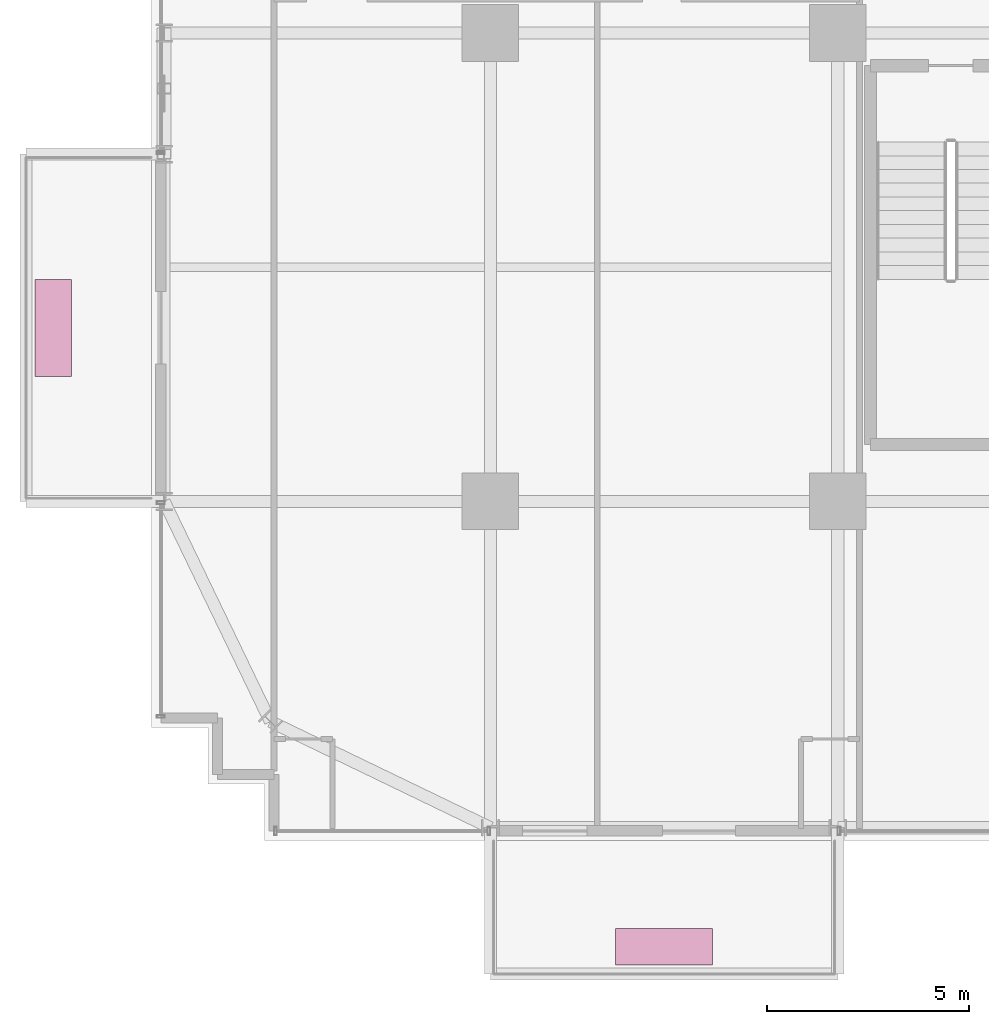
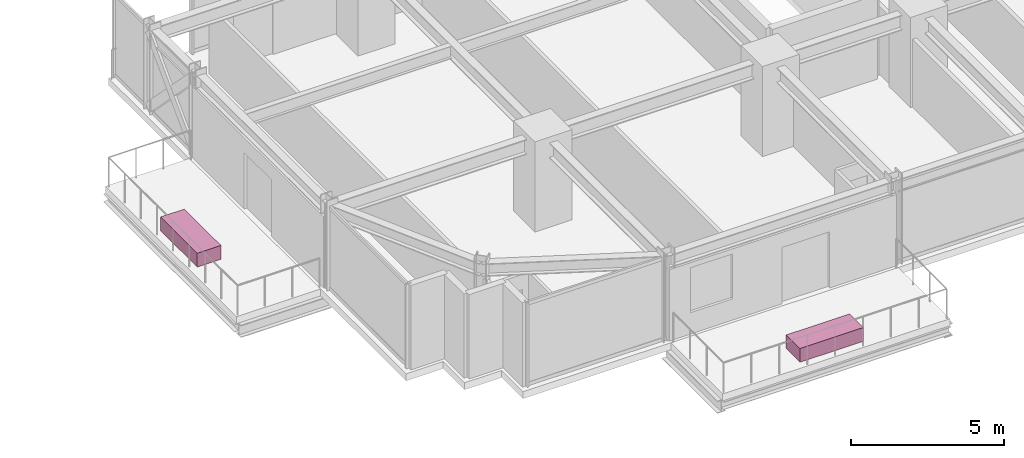
# One storey, part 37 of 37: 2 furnishings.
"""IFC4 building model written with IfcOpenShell, lengths in metres."""

import ifcopenshell
import ifcopenshell.guid

model = None  # the IFC model being written
_history = None  # IfcOwnerHistory: only IFC2X3 demands one
_inside = {}  # id of a spatial element -> (the spatial element, [elements in it])
_under = {}  # id of a project, library or spatial element -> (it, [spatial elements below it])
_declared = {}  # id of a project -> (the project, [libraries it declares])
_typed = {}  # id of a type object -> (the type object, [elements of that type])
_made_of = {}  # id of a material, layer set ... -> (it, [elements and type objects made of it])


def new_model(schema):
    """Start an empty IFC model of exactly this schema.

    Asked for "IFC4X3", IfcOpenShell would pick the latest addendum, in which some entities
    have other attributes; the version numbers below select the first issue.
    IFC2X3 requires an IfcOwnerHistory on every rooted entity: one is made here for all.
    """
    global model, _history
    if schema == "IFC4X3":
        model = ifcopenshell.file(schema_version=(4, 3, 0, 0))
    else:
        model = ifcopenshell.file(schema=schema)
    _inside.clear()
    _under.clear()
    _declared.clear()
    _typed.clear()
    _made_of.clear()
    _history = None
    if model.schema == "IFC2X3":
        org = make("IfcOrganization", Name="unknown")
        user = make(
            "IfcPersonAndOrganization",
            ThePerson=make("IfcPerson", FamilyName="unknown"),
            TheOrganization=org,
        )
        app = make(
            "IfcApplication",
            ApplicationDeveloper=org,
            Version="unknown",
            ApplicationFullName="unknown",
            ApplicationIdentifier="unknown",
        )
        _history = make(
            "IfcOwnerHistory",
            OwningUser=user,
            OwningApplication=app,
            ChangeAction="ADDED",
            CreationDate=0,
        )
    return model


def make(cls, **values):
    """One entity of the class cls with the attributes given. An attribute that is None is left unset."""
    return model.create_entity(
        cls, **{name: value for name, value in values.items() if value is not None}
    )


def rooted(cls, **values):
    """An entity with a GlobalId (a new one), such as an element, a storey or a relation."""
    return make(cls, GlobalId=ifcopenshell.guid.new(), OwnerHistory=_history, **values)


def si_unit(unit_type, name, prefix=None):
    """IfcSIUnit, for example si_unit("LENGTHUNIT", "METRE", prefix="MILLI")."""
    return make("IfcSIUnit", UnitType=unit_type, Prefix=prefix, Name=name)


def assignment(units):
    """IfcUnitAssignment: the units of a project."""
    return None if units is None else make("IfcUnitAssignment", Units=units)


def point(xyz):
    """IfcCartesianPoint."""
    return None if xyz is None else make("IfcCartesianPoint", Coordinates=xyz)


def direction(xyz):
    """IfcDirection."""
    return None if xyz is None else make("IfcDirection", DirectionRatios=xyz)


def frame(location, z_axis=None, x_axis=None):
    """IfcAxis2Placement3D, a coordinate frame: its origin and axes. An axis left out is left unset."""
    return make(
        "IfcAxis2Placement3D",
        Location=point(location),
        Axis=direction(z_axis),
        RefDirection=direction(x_axis),
    )


def frame_2d(location, x_axis=None):
    """IfcAxis2Placement2D, a coordinate frame in the plane: its origin and x axis."""
    return make(
        "IfcAxis2Placement2D", Location=point(location), RefDirection=direction(x_axis)
    )


def origin():
    """The frame at (0, 0, 0) with its axes left unset."""
    return frame((0.0, 0.0, 0.0))


def origin_2d():
    """The frame at (0, 0) in the plane with its x axis left unset."""
    return frame_2d((0.0, 0.0))


def place(relative_to, where):
    """IfcLocalPlacement: puts the frame where relative to a parent placement (None: the world)."""
    return make(
        "IfcLocalPlacement", PlacementRelTo=relative_to, RelativePlacement=where
    )


def context(
    kind, dimensions, precision=None, world=None, true_north=None, identifier=None
):
    """IfcGeometricRepresentationContext, for example the 3D "Model" context."""
    return make(
        "IfcGeometricRepresentationContext",
        ContextIdentifier=identifier,
        ContextType=kind,
        CoordinateSpaceDimension=dimensions,
        Precision=precision,
        WorldCoordinateSystem=world,
        TrueNorth=true_north,
    )


def subcontext(parent, identifier, kind, view, scale=None):
    """IfcGeometricRepresentationSubContext, for example "Body" below "Model"."""
    return make(
        "IfcGeometricRepresentationSubContext",
        ContextIdentifier=identifier,
        ContextType=kind,
        ParentContext=parent,
        TargetScale=scale,
        TargetView=view,
    )


def project(units=None, contexts=None):
    """IfcProject with its units and contexts."""
    return rooted(
        "IfcProject",
        Name="project",
        RepresentationContexts=contexts,
        UnitsInContext=assignment(units),
    )


def spatial(cls, under=None, at=None, **own):
    """A site, building, storey or space (cls), placed at a placement, below another one or the project."""
    s = rooted(cls, ObjectPlacement=at, **own)
    if under is not None:
        _under.setdefault(under.id(), (under, []))[1].append(s)
    return s


def profile(cls, at=None, kind="AREA", **sizes):
    """A parametric profile (cls). Its sizes go by their IFC names, for example OverallWidth=200.0."""
    return make(cls, ProfileType=kind, Position=at, **sizes)


def rectangle(**sizes):
    """IfcRectangleProfileDef."""
    return profile("IfcRectangleProfileDef", **sizes)


def extrude(swept, where, along, depth):
    """IfcExtrudedAreaSolid: the profile swept, set in the frame where, extruded along a direction by depth."""
    return make(
        "IfcExtrudedAreaSolid",
        SweptArea=swept,
        Position=where,
        ExtrudedDirection=direction(along),
        Depth=depth,
    )


def shape(context_of_items, identifier, shape_type, items):
    """IfcShapeRepresentation: the items that make up one representation, for example the "Body"."""
    return make(
        "IfcShapeRepresentation",
        ContextOfItems=context_of_items,
        RepresentationIdentifier=identifier,
        RepresentationType=shape_type,
        Items=items,
    )


def source(mapping_origin, context_of_items, identifier, shape_type, items):
    """IfcRepresentationMap: a shape defined once, which mapped items show again and again."""
    return make(
        "IfcRepresentationMap",
        MappingOrigin=mapping_origin,
        MappedRepresentation=shape(context_of_items, identifier, shape_type, items),
    )


def transform(
    local_origin,
    x_axis=None,
    y_axis=None,
    z_axis=None,
    scale=None,
    scale2=None,
    scale3=None,
    uniform=True,
):
    """IfcCartesianTransformationOperator3D, or its non-uniform kind. x_axis, y_axis, z_axis: its Axis1, 2, 3."""
    if uniform:
        return make(
            "IfcCartesianTransformationOperator3D",
            Axis1=direction(x_axis),
            Axis2=direction(y_axis),
            LocalOrigin=point(local_origin),
            Scale=scale,
            Axis3=direction(z_axis),
        )
    return make(
        "IfcCartesianTransformationOperator3DnonUniform",
        Axis1=direction(x_axis),
        Axis2=direction(y_axis),
        LocalOrigin=point(local_origin),
        Scale=scale,
        Axis3=direction(z_axis),
        Scale2=scale2,
        Scale3=scale3,
    )


def mapped(mapping_source, mapping_target):
    """IfcMappedItem: shows the shape of a source again, moved by a transform."""
    return make(
        "IfcMappedItem", MappingSource=mapping_source, MappingTarget=mapping_target
    )


def material(Name=None, Category=None):
    """IfcMaterial."""
    return make("IfcMaterial", Name=Name, Category=Category)


def made_of(thing, what):
    """Note that an element or type object is made of a material, layer set ...; save() writes the relation."""
    if what is not None:
        _made_of.setdefault(what.id(), (what, []))[1].append(thing)
    return thing


def type_object(cls, material=None, **own):
    """A type object (cls), such as IfcWallType, which elements share."""
    return made_of(rooted(cls, **own), material)


def element(
    cls,
    number,
    at=None,
    inside=None,
    cuts=None,
    type_object=None,
    material=None,
    context=None,
    identifier="Body",
    shape_type=None,
    held_by="IfcProductDefinitionShape",
    body=None,
    shapes=None,
    **own,
):
    """One element of the class cls, such as IfcWall. Its Tag is "e" and its number.

    at: its placement. inside: the storey or other place that contains it. cuts: it is an
    opening in that element (IfcRelVoidsElement). A single representation is given by context,
    identifier, shape_type and body (its items); several are given by shapes. held_by: the class
    of the entity that holds the representations. save() writes the other relations.
    """
    e = rooted(cls, Tag="e%d" % number, ObjectPlacement=at, **own)
    if body is not None:
        shapes = [shape(context, identifier, shape_type, body)]
    if shapes is not None:
        e.Representation = make(held_by, Representations=shapes)
    if inside is not None:
        _inside.setdefault(inside.id(), (inside, []))[1].append(e)
    if cuts is not None:
        rooted(
            "IfcRelVoidsElement", RelatingBuildingElement=cuts, RelatedOpeningElement=e
        )
    if type_object is not None:
        _typed.setdefault(type_object.id(), (type_object, []))[1].append(e)
    return made_of(e, material)


def aggregate(whole, parts):
    """IfcRelAggregates: a whole, such as a stair, and the parts it consists of."""
    return rooted("IfcRelAggregates", RelatingObject=whole, RelatedObjects=parts)


def save(model, path):
    """Write the relations noted so far, then the file.

    IfcRelAggregates (storeys below a building ...), IfcRelContainedInSpatialStructure (elements
    in a storey), IfcRelDefinesByType, IfcRelAssociatesMaterial and IfcRelDeclares: one each for
    every whole, place, type object, material and project.
    """
    for whole, parts in _under.values():
        aggregate(whole, parts)
    for where, things in _inside.values():
        rooted(
            "IfcRelContainedInSpatialStructure",
            RelatedElements=things,
            RelatingStructure=where,
        )
    for kind, things in _typed.values():
        rooted("IfcRelDefinesByType", RelatedObjects=things, RelatingType=kind)
    for what, things in _made_of.values():
        rooted("IfcRelAssociatesMaterial", RelatedObjects=things, RelatingMaterial=what)
    for by, libraries in _declared.values():
        rooted("IfcRelDeclares", RelatingContext=by, RelatedDefinitions=libraries)
    model.write(path)


model = new_model("IFC4")

# Units and contexts
model_context = context("Model", 3, precision=1e-05, world=origin(), true_north=direction((0.0, 1.0)))
body_context = subcontext(model_context, "Body", "Model", "MODEL_VIEW")
ifc_project = project(units=[si_unit("LENGTHUNIT", "METRE"), si_unit("AREAUNIT", "SQUARE_METRE"), si_unit("VOLUMEUNIT", "CUBIC_METRE"), si_unit("PLANEANGLEUNIT", "RADIAN"), si_unit("MASSUNIT", "GRAM", prefix="KILO")], contexts=[model_context])

# Site, building, storey
site_placement = place(None, origin())
site = spatial("IfcSite", under=ifc_project, at=site_placement, CompositionType="ELEMENT")
building_placement = place(site_placement, origin())
building = spatial("IfcBuilding", under=site, at=building_placement, Name="Nahalor Promenade Grand Hotel", CompositionType="ELEMENT")
storey_placement = place(building_placement, frame((0.0, 0.0, 65.25)))
storey = spatial("IfcBuildingStorey", under=building, at=storey_placement, Name="L15", CompositionType="ELEMENT", Elevation=65.25)

# Furnishings
ifc_material = material(Name="Vegetated Volcanic-Lapilli Tree Planter", Category="earth")
furnishing_element_type = type_object("IfcFurnishingElementType", Name="Planter-VerticalForest-Box", material=ifc_material)
shared_shape = source(origin(), body_context, "Body", "SweptSolid", [
    extrude(rectangle(XDim=2.39990234375, YDim=0.89990234375, at=origin_2d()), origin(), (0.0, 0.0, 1.0), 0.550048828125),
])
for number, where, z_axis, x_axis, name in (
    (1, (-12.699951171875, -28.030029296875, 0.0), (0.0, 0.0, 1.0), (1.0, 0.0, 0.0), "L15 Balcony Structural Tree Planter 1"),
    (2, (-27.830078125, -12.699951171875, 0.0), (0.0, 0.0, 1.0), (0.0, 1.0, 0.0), "L15 Balcony Structural Tree Planter 2"),
):
    element("IfcFurnishingElement", number, at=place(storey_placement, frame(where, z_axis=z_axis, x_axis=x_axis)), inside=storey, type_object=furnishing_element_type, Name=name, ObjectType="PLANTER", context=body_context, shape_type="MappedRepresentation", body=[
        mapped(shared_shape, transform((0.0, 0.0, 0.0), scale=1.0)),
    ])

save(model, "model.ifc")
